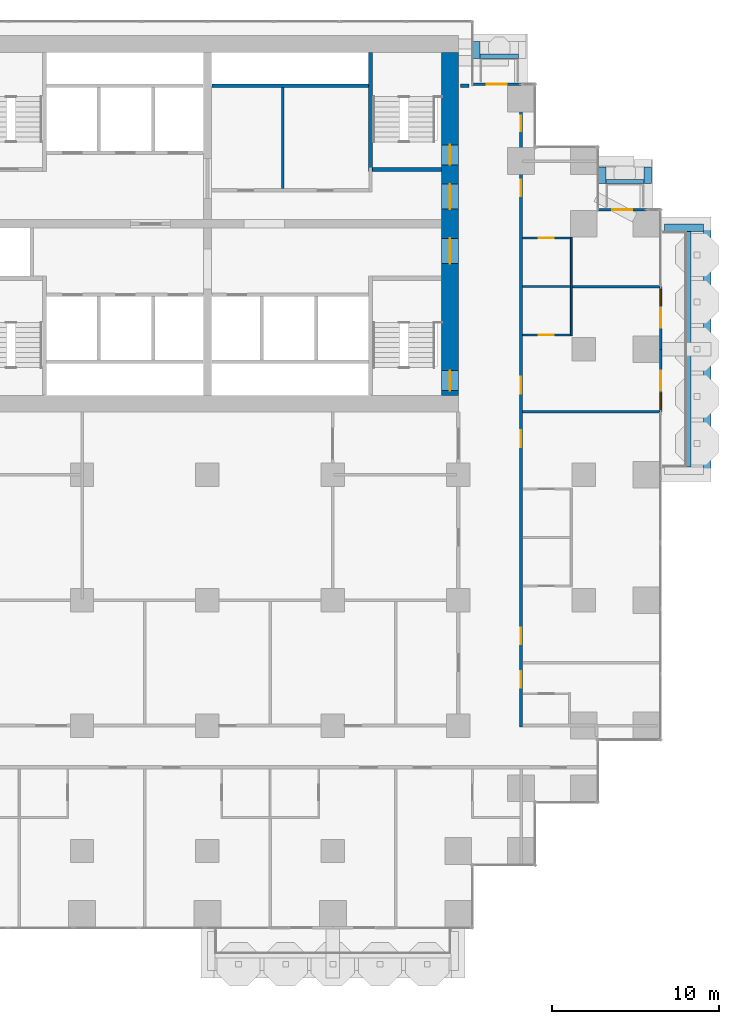
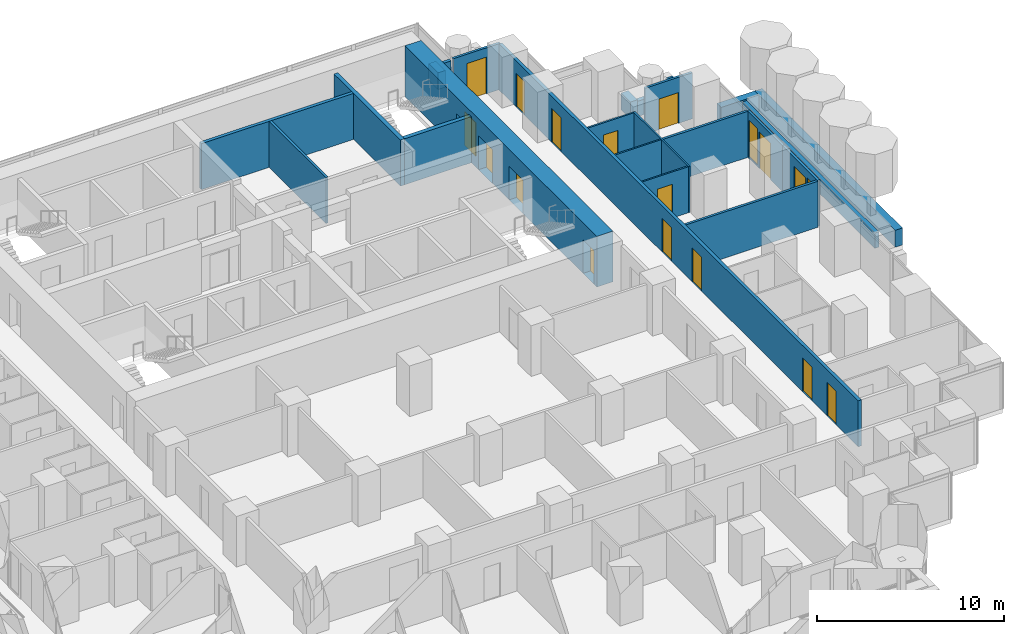
# One storey, part 14 of 18: 25 walls, 16 doors, 2 windows, 18 openings.
"""IFC4 building model written with IfcOpenShell, lengths in metres."""

from ifc_helpers import new_model, si_unit, direction, frame, frame_2d, origin, place, context, subcontext, project, spatial, rectangle, extrude, material, layer, layer_set, type_object, element, fill, save


model = new_model("IFC4")

# Units and contexts
model_context = context("Model", 3, precision=1e-05, world=origin(), true_north=direction((0.0, 1.0)))
body_context = subcontext(model_context, "Body", "Model", "MODEL_VIEW")
ifc_project = project(units=[si_unit("LENGTHUNIT", "METRE"), si_unit("AREAUNIT", "SQUARE_METRE"), si_unit("VOLUMEUNIT", "CUBIC_METRE"), si_unit("PLANEANGLEUNIT", "RADIAN"), si_unit("MASSUNIT", "GRAM", prefix="KILO")], contexts=[model_context])

# Site, building, storey
site_placement = place(None, origin())
site = spatial("IfcSite", under=ifc_project, at=site_placement, CompositionType="ELEMENT")
building_placement = place(site_placement, origin())
building = spatial("IfcBuilding", under=site, at=building_placement, Name="Pilkhan Gate Tower", CompositionType="ELEMENT")
storey_placement = place(building_placement, frame((0.0, 0.0, 52.699951171875)))
storey = spatial("IfcBuildingStorey", under=building, at=storey_placement, Name="L10", CompositionType="ELEMENT", Elevation=52.699951171875)

# Walls
ifc_material_1 = material(Name="Concrete C40/50", Category="concrete")
ifc_layer_1 = layer(ifc_material_1, 0.25)
ifc_layer_set_1 = layer_set([ifc_layer_1], Name="Balcony planter BP250")
wall_type_1 = type_object("IfcWallType", Name="Balcony planter BP250", PredefinedType="USERDEFINED", material=ifc_layer_set_1)
wall_1_placement = place(storey_placement, frame((103.77490234375, 67.949951171875, 0.0), z_axis=(0.0, 0.0, 1.0), x_axis=(0.0, 1.0, 0.0)))
element("IfcWall", 1, at=wall_1_placement, inside=storey, type_object=wall_type_1, Name="Balcony planter L10 E", ObjectType="BALCONY PLANTER", PredefinedType="USERDEFINED", context=body_context, shape_type="SweptSolid", body=[
    extrude(rectangle(XDim=14.10009765625, YDim=0.25, at=frame_2d((7.050048828125, 0.0))), origin(), (0.0, 0.0, 1.0), 1.0),
])
wall_2_placement = place(storey_placement, frame((91.300048828125, 92.52490234375, 0.0), z_axis=(0.0, 0.0, 1.0), x_axis=(1.0, 0.0, 0.0)))
element("IfcWall", 2, at=wall_2_placement, inside=storey, type_object=wall_type_1, Name="Balcony planter L10 N", ObjectType="BALCONY PLANTER", PredefinedType="USERDEFINED", context=body_context, shape_type="SweptSolid", body=[
    extrude(rectangle(XDim=2.300048828125, YDim=0.25, at=frame_2d((1.14990234375, 0.0))), origin(), (0.0, 0.0, 1.0), 1.0),
])
wall_3_placement = place(storey_placement, frame((98.820068359375, 85.02490234375, 0.0), z_axis=(0.0, 0.0, 1.0), x_axis=(1.0, 0.0, 0.0)))
element("IfcWall", 3, at=wall_3_placement, inside=storey, type_object=wall_type_1, Name="Balcony planter L10 N", ObjectType="BALCONY PLANTER", PredefinedType="USERDEFINED", context=body_context, shape_type="SweptSolid", body=[
    extrude(rectangle(XDim=2.280029296875, YDim=0.25, at=frame_2d((1.14013671875, 0.0))), origin(), (0.0, 0.0, 1.0), 1.0),
])
ifc_material_2 = material(Name="Board-marked Concrete C40/50", Category="concrete")
ifc_layer_2 = layer(ifc_material_2, 0.449951171875)
ifc_layer_set_2 = layer_set([ifc_layer_2], Name="Balcony planter lip BL450")
wall_type_2 = type_object("IfcWallType", Name="Balcony planter lip BL450", PredefinedType="USERDEFINED", material=ifc_layer_set_2)
wall_4_placement = place(storey_placement, frame((104.875, 67.5, 0.0), z_axis=(0.0, 0.0, 1.0), x_axis=(0.0, 1.0, 0.0)))
element("IfcWall", 4, at=wall_4_placement, inside=storey, type_object=wall_type_2, Name="Balcony planter L10 E", ObjectType="BALCONY PLANTER", PredefinedType="USERDEFINED", context=body_context, shape_type="SweptSolid", body=[
    extrude(rectangle(XDim=15.0, YDim=0.449951171875, at=frame_2d((7.5, 0.0))), origin(), (0.0, 0.0, 1.0), 1.10009765625),
])
wall_5_placement = place(storey_placement, frame((102.320068359375, 82.27490234375, 0.0), z_axis=(0.0, 0.0, 1.0), x_axis=(1.0, 0.0, 0.0)))
element("IfcWall", 5, at=wall_5_placement, inside=storey, type_object=wall_type_2, Name="Balcony planter L10 E", ObjectType="BALCONY PLANTER", PredefinedType="USERDEFINED", context=body_context, shape_type="SweptSolid", body=[
    extrude(rectangle(XDim=2.329833984375, YDim=0.449951171875, at=frame_2d((1.1650390625, 0.0))), origin(), (0.0, 0.0, 1.0), 1.10009765625),
])
for number, where, z_axis, x_axis, name in (
    (6, (91.074951171875, 92.39990234375, 0.0), (0.0, 0.0, 1.0), (0.0, 1.0, 0.0), "Balcony planter L10 N"),
    (7, (98.594970703125, 84.89990234375, 0.0), (0.0, 0.0, 1.0), (0.0, 1.0, 0.0), "Balcony planter L10 N"),
    (8, (101.324951171875, 84.89990234375, 0.0), (0.0, 0.0, 1.0), (0.0, 1.0, 0.0), "Balcony planter L10 N"),
):
    element("IfcWall", number, at=place(storey_placement, frame(where, z_axis=z_axis, x_axis=x_axis)), inside=storey, type_object=wall_type_2, Name=name, ObjectType="BALCONY PLANTER", PredefinedType="USERDEFINED", context=body_context, shape_type="SweptSolid", body=[
        extrude(rectangle(XDim=1.0, YDim=0.449951171875, at=frame_2d((0.5, 0.0))), origin(), (0.0, 0.0, 1.0), 1.10009765625),
    ])

# Wall, openings, doors
ifc_material_3 = material(Name="Concrete C70/85", Category="concrete")
ifc_layer_3 = layer(ifc_material_3, 1.0)
ifc_layer_set_3 = layer_set([ifc_layer_3], Name="Core wall CW1000 C70/85")
wall_type_3 = type_object("IfcWallType", Name="Core wall CW1000 C70/85", PredefinedType="SHEAR", material=ifc_layer_set_3)
wall_6_placement = place(storey_placement, frame((89.5, 72.25, 0.0), z_axis=(0.0, 0.0, 1.0), x_axis=(0.0, 1.0, 0.0)))
wall_6 = element("IfcWall", 9, at=wall_6_placement, inside=storey, type_object=wall_type_3, Name="Core wall E L10", PredefinedType="SHEAR", context=body_context, shape_type="SweptSolid", body=[
    extrude(rectangle(XDim=20.5, YDim=1.0, at=frame_2d((10.25, 0.0))), origin(), (0.0, 0.0, 1.0), 3.300048828125),
])
opening_1_placement = place(wall_6_placement, frame((0.27490234375, 0.0, 0.0)))
opening_1 = element("IfcOpeningElement", 10, at=opening_1_placement, cuts=wall_6, Name="Opening L10-03", PredefinedType="OPENING", context=body_context, shape_type="SweptSolid", body=[
    extrude(rectangle(XDim=1.199951171875, YDim=2.199951171875, at=frame_2d((0.60009765625, 1.10009765625))), frame((0.0, 0.510009765625, 0.0), z_axis=(0.0, -1.0, 0.0), x_axis=(1.0, 0.0, 0.0)), (0.0, 0.0, 1.0), 1.02001953125),
])
opening_2_placement = place(wall_6_placement, frame((13.77490234375, 0.0, 0.0)))
opening_2 = element("IfcOpeningElement", 11, at=opening_2_placement, cuts=wall_6, Name="Opening L10-05", PredefinedType="OPENING", context=body_context, shape_type="SweptSolid", body=[
    extrude(rectangle(XDim=1.199951171875, YDim=2.199951171875, at=frame_2d((0.60009765625, 1.10009765625))), frame((0.0, 0.510009765625, 0.0), z_axis=(0.0, -1.0, 0.0), x_axis=(1.0, 0.0, 0.0)), (0.0, 0.0, 1.0), 1.02001953125),
])
opening_3_placement = place(wall_6_placement, frame((7.875, 0.0, 0.0)))
opening_3 = element("IfcOpeningElement", 12, at=opening_3_placement, cuts=wall_6, Name="Opening L10-42", PredefinedType="OPENING", context=body_context, shape_type="SweptSolid", body=[
    extrude(rectangle(XDim=1.5, YDim=2.199951171875, at=frame_2d((0.75, 1.10009765625))), frame((0.0, 0.510009765625, 0.0), z_axis=(0.0, -1.0, 0.0), x_axis=(1.0, 0.0, 0.0)), (0.0, 0.0, 1.0), 1.02001953125),
])
opening_4_placement = place(wall_6_placement, frame((11.125, 0.0, 0.0)))
opening_4 = element("IfcOpeningElement", 13, at=opening_4_placement, cuts=wall_6, Name="Opening L10-44", PredefinedType="OPENING", context=body_context, shape_type="SweptSolid", body=[
    extrude(rectangle(XDim=1.5, YDim=2.199951171875, at=frame_2d((0.75, 1.10009765625))), frame((0.0, 0.510009765625, 0.0), z_axis=(0.0, -1.0, 0.0), x_axis=(1.0, 0.0, 0.0)), (0.0, 0.0, 1.0), 1.02001953125),
])
ifc_material_4 = material(Name="Steel framed glazed door, 60 minute fire resisting", Category="steel")
door_type_1 = type_object("IfcDoorType", Name="Lobby door D09 1500x2200", OperationType="DOUBLE_DOOR_SINGLE_SWING", PredefinedType="DOOR", material=ifc_material_4)
door_1_placement = place(opening_3_placement, origin())
door_1 = element("IfcDoor", 14, at=door_1_placement, inside=storey, type_object=door_type_1, Name="Core door", OperationType="DOUBLE_DOOR_SINGLE_SWING", OverallHeight=2.199951171875, OverallWidth=1.5, PredefinedType="DOOR", context=body_context, shape_type="SweptSolid", body=[
    extrude(rectangle(XDim=1.5, YDim=2.199951171875, at=frame_2d((0.75, 1.10009765625))), frame((0.0, 0.02490234375, 0.0), z_axis=(0.0, -1.0, 0.0), x_axis=(1.0, 0.0, 0.0)), (0.0, 0.0, 1.0), 0.050048828125),
])
fill(opening_3, door_1)
door_2_placement = place(opening_4_placement, origin())
door_2 = element("IfcDoor", 15, at=door_2_placement, inside=storey, type_object=door_type_1, Name="Core door", OperationType="DOUBLE_DOOR_SINGLE_SWING", OverallHeight=2.199951171875, OverallWidth=1.5, PredefinedType="DOOR", context=body_context, shape_type="SweptSolid", body=[
    extrude(rectangle(XDim=1.5, YDim=2.199951171875, at=frame_2d((0.75, 1.10009765625))), frame((0.0, 0.02490234375, 0.0), z_axis=(0.0, -1.0, 0.0), x_axis=(1.0, 0.0, 0.0)), (0.0, 0.0, 1.0), 0.050048828125),
])
fill(opening_4, door_2)
ifc_material_5 = material(Name="Steel door, 120 minute fire resisting, panic bar", Category="steel")
door_type_2 = type_object("IfcDoorType", Name="Stair door D11 1200x2200", OperationType="SINGLE_SWING_LEFT", PredefinedType="DOOR", material=ifc_material_5)
door_3_placement = place(opening_1_placement, origin())
door_3 = element("IfcDoor", 16, at=door_3_placement, inside=storey, type_object=door_type_2, Name="Stair ST1 door", OperationType="SINGLE_SWING_LEFT", OverallHeight=2.199951171875, OverallWidth=1.199951171875, PredefinedType="DOOR", context=body_context, shape_type="SweptSolid", body=[
    extrude(rectangle(XDim=1.199951171875, YDim=2.199951171875, at=frame_2d((0.60009765625, 1.10009765625))), frame((0.0, 0.02490234375, 0.0), z_axis=(0.0, -1.0, 0.0), x_axis=(1.0, 0.0, 0.0)), (0.0, 0.0, 1.0), 0.050048828125),
])
fill(opening_1, door_3)
door_4_placement = place(opening_2_placement, origin())
door_4 = element("IfcDoor", 17, at=door_4_placement, inside=storey, type_object=door_type_2, Name="Stair ST4 door", OperationType="SINGLE_SWING_LEFT", OverallHeight=2.199951171875, OverallWidth=1.199951171875, PredefinedType="DOOR", context=body_context, shape_type="SweptSolid", body=[
    extrude(rectangle(XDim=1.199951171875, YDim=2.199951171875, at=frame_2d((0.60009765625, 1.10009765625))), frame((0.0, 0.02490234375, 0.0), z_axis=(0.0, -1.0, 0.0), x_axis=(1.0, 0.0, 0.0)), (0.0, 0.0, 1.0), 0.050048828125),
])
fill(opening_2, door_4)

# Wall
ifc_material_6 = material(Name="Dense blockwork", Category="masonry")
ifc_layer_4 = layer(ifc_material_6, 0.199951171875)
ifc_layer_set_4 = layer_set([ifc_layer_4], Name="Corridor wall FW200")
wall_type_4 = type_object("IfcWallType", Name="Corridor wall FW200", PredefinedType="PARTITIONING", material=ifc_layer_set_4)
wall_7_placement = place(storey_placement, frame((90.1201171875, 90.764892578125, 0.0), z_axis=(0.0, 0.0, 1.0), x_axis=(1.0, 0.0, 0.0)))
element("IfcWall", 18, at=wall_7_placement, inside=storey, type_object=wall_type_4, Name="Partition L10", PredefinedType="PARTITIONING", context=body_context, shape_type="SweptSolid", body=[
    extrude(rectangle(XDim=0.52490234375, YDim=0.199951171875, at=frame_2d((0.262451171875, 0.0))), origin(), (0.0, 0.0, 1.0), 3.0),
])

# Wall, openings, doors
wall_8_placement = place(storey_placement, frame((93.75, 52.39990234375, 0.0), z_axis=(0.0, 0.0, 1.0), x_axis=(0.0, 1.0, 0.0)))
wall_8 = element("IfcWall", 19, at=wall_8_placement, inside=storey, type_object=wall_type_4, Name="Partition L10", PredefinedType="PARTITIONING", context=body_context, shape_type="SweptSolid", body=[
    extrude(rectangle(XDim=38.364990234375, YDim=0.199951171875, at=frame_2d((19.1826171875, 0.0))), origin(), (0.0, 0.0, 1.0), 3.0),
])
opening_5_placement = place(wall_8_placement, frame((2.35009765625, 0.0, 0.0)))
opening_5 = element("IfcOpeningElement", 20, at=opening_5_placement, cuts=wall_8, Name="Opening L10-32", PredefinedType="OPENING", context=body_context, shape_type="SweptSolid", body=[
    extrude(rectangle(XDim=1.0, YDim=2.199951171875, at=frame_2d((0.5, 1.10009765625))), frame((0.0, 0.10986328125, 0.0), z_axis=(0.0, -1.0, 0.0), x_axis=(1.0, 0.0, 0.0)), (0.0, 0.0, 1.0), 0.219970703125),
])
opening_6_placement = place(wall_8_placement, frame((4.949951171875, 0.0, 0.0)))
opening_6 = element("IfcOpeningElement", 21, at=opening_6_placement, cuts=wall_8, Name="Opening L10-34", PredefinedType="OPENING", context=body_context, shape_type="SweptSolid", body=[
    extrude(rectangle(XDim=1.0, YDim=2.199951171875, at=frame_2d((0.5, 1.10009765625))), frame((0.0, 0.10986328125, 0.0), z_axis=(0.0, -1.0, 0.0), x_axis=(1.0, 0.0, 0.0)), (0.0, 0.0, 1.0), 0.219970703125),
])
opening_7_placement = place(wall_8_placement, frame((16.75, 0.0, 0.0)))
opening_7 = element("IfcOpeningElement", 22, at=opening_7_placement, cuts=wall_8, Name="Opening L10-36", PredefinedType="OPENING", context=body_context, shape_type="SweptSolid", body=[
    extrude(rectangle(XDim=1.0, YDim=2.199951171875, at=frame_2d((0.5, 1.10009765625))), frame((0.0, 0.10986328125, 0.0), z_axis=(0.0, -1.0, 0.0), x_axis=(1.0, 0.0, 0.0)), (0.0, 0.0, 1.0), 0.219970703125),
])
opening_8_placement = place(wall_8_placement, frame((19.949951171875, 0.0, 0.0)))
opening_8 = element("IfcOpeningElement", 23, at=opening_8_placement, cuts=wall_8, Name="Opening L10-38", PredefinedType="OPENING", context=body_context, shape_type="SweptSolid", body=[
    extrude(rectangle(XDim=1.0, YDim=2.199951171875, at=frame_2d((0.5, 1.10009765625))), frame((0.0, 0.10986328125, 0.0), z_axis=(0.0, -1.0, 0.0), x_axis=(1.0, 0.0, 0.0)), (0.0, 0.0, 1.0), 0.219970703125),
])
opening_9_placement = place(wall_8_placement, frame((31.75, 0.0, 0.0)))
opening_9 = element("IfcOpeningElement", 24, at=opening_9_placement, cuts=wall_8, Name="Opening L10-40", PredefinedType="OPENING", context=body_context, shape_type="SweptSolid", body=[
    extrude(rectangle(XDim=1.0, YDim=2.199951171875, at=frame_2d((0.5, 1.10009765625))), frame((0.0, 0.10986328125, 0.0), z_axis=(0.0, -1.0, 0.0), x_axis=(1.0, 0.0, 0.0)), (0.0, 0.0, 1.0), 0.219970703125),
])
opening_10_placement = place(wall_8_placement, frame((35.64990234375, 0.0, 0.0)))
opening_10 = element("IfcOpeningElement", 25, at=opening_10_placement, cuts=wall_8, Name="Opening L10-50", PredefinedType="OPENING", context=body_context, shape_type="SweptSolid", body=[
    extrude(rectangle(XDim=0.89990234375, YDim=2.199951171875, at=frame_2d((0.449951171875, 1.10009765625))), frame((0.0, 0.10986328125, 0.0), z_axis=(0.0, -1.0, 0.0), x_axis=(1.0, 0.0, 0.0)), (0.0, 0.0, 1.0), 0.219970703125),
])
ifc_material_7 = material(Name="Timber flush door, 30 minute fire resisting", Category="wood")
door_type_3 = type_object("IfcDoorType", Name="Guest room door D01 1000x2200", OperationType="SINGLE_SWING_LEFT", PredefinedType="DOOR", material=ifc_material_7)
door_5_placement = place(opening_5_placement, origin())
door_5 = element("IfcDoor", 26, at=door_5_placement, inside=storey, type_object=door_type_3, Name="Guest room door", OperationType="SINGLE_SWING_RIGHT", OverallHeight=2.199951171875, OverallWidth=1.0, PredefinedType="DOOR", context=body_context, shape_type="SweptSolid", body=[
    extrude(rectangle(XDim=1.0, YDim=2.199951171875, at=frame_2d((0.5, 1.10009765625))), frame((0.0, 0.02490234375, 0.0), z_axis=(0.0, -1.0, 0.0), x_axis=(1.0, 0.0, 0.0)), (0.0, 0.0, 1.0), 0.050048828125),
])
fill(opening_5, door_5)
door_6_placement = place(opening_6_placement, origin())
door_6 = element("IfcDoor", 27, at=door_6_placement, inside=storey, type_object=door_type_3, Name="Guest room door", OperationType="SINGLE_SWING_LEFT", OverallHeight=2.199951171875, OverallWidth=1.0, PredefinedType="DOOR", context=body_context, shape_type="SweptSolid", body=[
    extrude(rectangle(XDim=1.0, YDim=2.199951171875, at=frame_2d((0.5, 1.10009765625))), frame((0.0, 0.02490234375, 0.0), z_axis=(0.0, -1.0, 0.0), x_axis=(1.0, 0.0, 0.0)), (0.0, 0.0, 1.0), 0.050048828125),
])
fill(opening_6, door_6)
door_7_placement = place(opening_7_placement, origin())
door_7 = element("IfcDoor", 28, at=door_7_placement, inside=storey, type_object=door_type_3, Name="Guest room door", OperationType="SINGLE_SWING_LEFT", OverallHeight=2.199951171875, OverallWidth=1.0, PredefinedType="DOOR", context=body_context, shape_type="SweptSolid", body=[
    extrude(rectangle(XDim=1.0, YDim=2.199951171875, at=frame_2d((0.5, 1.10009765625))), frame((0.0, 0.02490234375, 0.0), z_axis=(0.0, -1.0, 0.0), x_axis=(1.0, 0.0, 0.0)), (0.0, 0.0, 1.0), 0.050048828125),
])
fill(opening_7, door_7)
door_8_placement = place(opening_8_placement, origin())
door_8 = element("IfcDoor", 29, at=door_8_placement, inside=storey, type_object=door_type_3, Name="Guest room door", OperationType="SINGLE_SWING_LEFT", OverallHeight=2.199951171875, OverallWidth=1.0, PredefinedType="DOOR", context=body_context, shape_type="SweptSolid", body=[
    extrude(rectangle(XDim=1.0, YDim=2.199951171875, at=frame_2d((0.5, 1.10009765625))), frame((0.0, 0.02490234375, 0.0), z_axis=(0.0, -1.0, 0.0), x_axis=(1.0, 0.0, 0.0)), (0.0, 0.0, 1.0), 0.050048828125),
])
fill(opening_8, door_8)
door_9_placement = place(opening_9_placement, origin())
door_9 = element("IfcDoor", 30, at=door_9_placement, inside=storey, type_object=door_type_3, Name="Guest room door", OperationType="SINGLE_SWING_LEFT", OverallHeight=2.199951171875, OverallWidth=1.0, PredefinedType="DOOR", context=body_context, shape_type="SweptSolid", body=[
    extrude(rectangle(XDim=1.0, YDim=2.199951171875, at=frame_2d((0.5, 1.10009765625))), frame((0.0, 0.02490234375, 0.0), z_axis=(0.0, -1.0, 0.0), x_axis=(1.0, 0.0, 0.0)), (0.0, 0.0, 1.0), 0.050048828125),
])
fill(opening_9, door_9)
ifc_material_8 = material(Name="Timber flush door, 60 minute fire resisting, self-closing", Category="wood")
door_type_4 = type_object("IfcDoorType", Name="Store door D05 900x2200", OperationType="SINGLE_SWING_LEFT", PredefinedType="DOOR", material=ifc_material_8)
door_10_placement = place(opening_10_placement, origin())
door_10 = element("IfcDoor", 31, at=door_10_placement, inside=storey, type_object=door_type_4, Name="Store door", OperationType="SINGLE_SWING_LEFT", OverallHeight=2.199951171875, OverallWidth=0.89990234375, PredefinedType="DOOR", context=body_context, shape_type="SweptSolid", body=[
    extrude(rectangle(XDim=0.89990234375, YDim=2.199951171875, at=frame_2d((0.449951171875, 1.10009765625))), frame((0.0, 0.02490234375, 0.0), z_axis=(0.0, -1.0, 0.0), x_axis=(1.0, 0.0, 0.0)), (0.0, 0.0, 1.0), 0.050048828125),
])
fill(opening_10, door_10)

# Wall, openings, door, window
ifc_material_9 = material(Name="Pale anodised aluminium, clear laminated glazing", Category="aluminium")
ifc_layer_5 = layer(ifc_material_9, 0.14990234375)
ifc_layer_set_5 = layer_set([ifc_layer_5], Name="Facade infill wall IW150")
wall_type_5 = type_object("IfcWallType", Name="Facade infill wall IW150", PredefinedType="SOLIDWALL", material=ifc_layer_set_5)
wall_9_placement = place(storey_placement, frame((102.094970703125, 71.25, 0.0), z_axis=(0.0, 0.0, 1.0), x_axis=(0.0, 1.0, 0.0)))
wall_9 = element("IfcWall", 32, at=wall_9_placement, inside=storey, type_object=wall_type_5, Name="Infill wall L10 E", PredefinedType="SOLIDWALL", context=body_context, shape_type="SweptSolid", body=[
    extrude(rectangle(XDim=3.75, YDim=0.14990234375, at=frame_2d((1.875, 0.0))), origin(), (0.0, 0.0, 1.0), 3.0),
])
opening_11_placement = place(wall_9_placement, frame((0.1875, 0.0, 0.10009765625)))
opening_11 = element("IfcOpeningElement", 33, at=opening_11_placement, cuts=wall_9, Name="Opening W1", PredefinedType="OPENING", context=body_context, shape_type="SweptSolid", body=[
    extrude(rectangle(XDim=0.89990234375, YDim=2.39990234375, at=frame_2d((0.449951171875, 1.199951171875))), frame((0.0, 0.0849609375, 0.0), z_axis=(0.0, -1.0, 0.0), x_axis=(1.0, 0.0, 0.0)), (0.0, 0.0, 1.0), 0.169921875),
])
opening_12_placement = place(wall_9_placement, frame((1.27490234375, 0.0, 0.0)))
opening_12 = element("IfcOpeningElement", 34, at=opening_12_placement, cuts=wall_9, Name="Opening D1", PredefinedType="OPENING", context=body_context, shape_type="SweptSolid", body=[
    extrude(rectangle(XDim=1.199951171875, YDim=2.39990234375, at=frame_2d((0.60009765625, 1.199951171875))), frame((0.0, 0.0849609375, 0.0), z_axis=(0.0, -1.0, 0.0), x_axis=(1.0, 0.0, 0.0)), (0.0, 0.0, 1.0), 0.169921875),
])
ifc_material_10 = material(Name="Pale anodised aluminium, clear glazing", Category="aluminium")
door_type_5 = type_object("IfcDoorType", Name="Balcony door D1 1200x2400", OperationType="SINGLE_SWING_LEFT", PredefinedType="DOOR", material=ifc_material_10)
door_11_placement = place(opening_12_placement, origin())
door_11 = element("IfcDoor", 35, at=door_11_placement, inside=storey, type_object=door_type_5, Name="Balcony door L10", OperationType="SINGLE_SWING_LEFT", OverallHeight=2.39990234375, OverallWidth=1.199951171875, PredefinedType="DOOR", context=body_context, shape_type="SweptSolid", body=[
    extrude(rectangle(XDim=1.199951171875, YDim=2.39990234375, at=frame_2d((0.60009765625, 1.199951171875))), frame((0.0, 0.02490234375, 0.0), z_axis=(0.0, -1.0, 0.0), x_axis=(1.0, 0.0, 0.0)), (0.0, 0.0, 1.0), 0.050048828125),
])
fill(opening_12, door_11)
ifc_material_11 = material(Name="Pale anodised aluminium, clear double glazing", Category="aluminium")
window_type = type_object("IfcWindowType", Name="Window W1 900x2400", PartitioningType="SINGLE_PANEL", PredefinedType="WINDOW", material=ifc_material_11)
window_1_placement = place(opening_11_placement, origin())
window_1 = element("IfcWindow", 36, at=window_1_placement, inside=storey, type_object=window_type, Name="Window L10", OverallHeight=2.39990234375, OverallWidth=0.89990234375, PartitioningType="SINGLE_PANEL", PredefinedType="WINDOW", context=body_context, shape_type="SweptSolid", body=[
    extrude(rectangle(XDim=0.89990234375, YDim=2.39990234375, at=frame_2d((0.449951171875, 1.199951171875))), frame((0.0, 0.030029296875, 0.0), z_axis=(0.0, -1.0, 0.0), x_axis=(1.0, 0.0, 0.0)), (0.0, 0.0, 1.0), 0.06005859375),
])
fill(opening_11, window_1)

wall_10_placement = place(storey_placement, frame((102.094970703125, 75.0, 0.0), z_axis=(0.0, 0.0, 1.0), x_axis=(0.0, 1.0, 0.0)))
wall_10 = element("IfcWall", 37, at=wall_10_placement, inside=storey, type_object=wall_type_5, Name="Infill wall L10 E", PredefinedType="SOLIDWALL", context=body_context, shape_type="SweptSolid", body=[
    extrude(rectangle(XDim=3.75, YDim=0.14990234375, at=frame_2d((1.875, 0.0))), origin(), (0.0, 0.0, 1.0), 3.0),
])
opening_13_placement = place(wall_10_placement, frame((1.27490234375, 0.0, 0.0)))
opening_13 = element("IfcOpeningElement", 38, at=opening_13_placement, cuts=wall_10, Name="Opening D1", PredefinedType="OPENING", context=body_context, shape_type="SweptSolid", body=[
    extrude(rectangle(XDim=1.199951171875, YDim=2.39990234375, at=frame_2d((0.60009765625, 1.199951171875))), frame((0.0, 0.0849609375, 0.0), z_axis=(0.0, -1.0, 0.0), x_axis=(1.0, 0.0, 0.0)), (0.0, 0.0, 1.0), 0.169921875),
])
opening_14_placement = place(wall_10_placement, frame((2.66259765625, 0.0, 0.10009765625)))
opening_14 = element("IfcOpeningElement", 39, at=opening_14_placement, cuts=wall_10, Name="Opening W1", PredefinedType="OPENING", context=body_context, shape_type="SweptSolid", body=[
    extrude(rectangle(XDim=0.89990234375, YDim=2.39990234375, at=frame_2d((0.449951171875, 1.199951171875))), frame((0.0, 0.0849609375, 0.0), z_axis=(0.0, -1.0, 0.0), x_axis=(1.0, 0.0, 0.0)), (0.0, 0.0, 1.0), 0.169921875),
])
door_12_placement = place(opening_13_placement, origin())
door_12 = element("IfcDoor", 40, at=door_12_placement, inside=storey, type_object=door_type_5, Name="Balcony door L10", OperationType="SINGLE_SWING_LEFT", OverallHeight=2.39990234375, OverallWidth=1.199951171875, PredefinedType="DOOR", context=body_context, shape_type="SweptSolid", body=[
    extrude(rectangle(XDim=1.199951171875, YDim=2.39990234375, at=frame_2d((0.60009765625, 1.199951171875))), frame((0.0, 0.02490234375, 0.0), z_axis=(0.0, -1.0, 0.0), x_axis=(1.0, 0.0, 0.0)), (0.0, 0.0, 1.0), 0.050048828125),
])
fill(opening_13, door_12)
window_2_placement = place(opening_14_placement, origin())
window_2 = element("IfcWindow", 41, at=window_2_placement, inside=storey, type_object=window_type, Name="Window L10", OverallHeight=2.39990234375, OverallWidth=0.89990234375, PartitioningType="SINGLE_PANEL", PredefinedType="WINDOW", context=body_context, shape_type="SweptSolid", body=[
    extrude(rectangle(XDim=0.89990234375, YDim=2.39990234375, at=frame_2d((0.449951171875, 1.199951171875))), frame((0.0, 0.030029296875, 0.0), z_axis=(0.0, -1.0, 0.0), x_axis=(1.0, 0.0, 0.0)), (0.0, 0.0, 1.0), 0.06005859375),
])
fill(opening_14, window_2)

# Wall, opening, door
wall_11_placement = place(storey_placement, frame((98.344970703125, 83.344970703125, 0.0), z_axis=(0.0, 0.0, 1.0), x_axis=(1.0, 0.0, 0.0)))
wall_11 = element("IfcWall", 42, at=wall_11_placement, inside=storey, type_object=wall_type_5, Name="Infill wall L10 N", PredefinedType="SOLIDWALL", context=body_context, shape_type="SweptSolid", body=[
    extrude(rectangle(XDim=2.905029296875, YDim=0.14990234375, at=frame_2d((1.45263671875, 0.0))), origin(), (0.0, 0.0, 1.0), 3.0),
])
opening_15_placement = place(wall_11_placement, frame((0.8525390625, 0.0, 0.0)))
opening_15 = element("IfcOpeningElement", 43, at=opening_15_placement, cuts=wall_11, Name="Opening D1L", PredefinedType="OPENING", context=body_context, shape_type="SweptSolid", body=[
    extrude(rectangle(XDim=1.199951171875, YDim=2.0, at=frame_2d((0.60009765625, 1.0))), frame((0.0, 0.0849609375, 0.0), z_axis=(0.0, -1.0, 0.0), x_axis=(1.0, 0.0, 0.0)), (0.0, 0.0, 1.0), 0.169921875),
])
door_type_6 = type_object("IfcDoorType", Name="Balcony door D1L 1200x2000", OperationType="SINGLE_SWING_LEFT", PredefinedType="DOOR", material=ifc_material_10)
door_13_placement = place(opening_15_placement, origin())
door_13 = element("IfcDoor", 44, at=door_13_placement, inside=storey, type_object=door_type_6, Name="Balcony door L10", OperationType="SINGLE_SWING_LEFT", OverallHeight=2.0, OverallWidth=1.199951171875, PredefinedType="DOOR", context=body_context, shape_type="SweptSolid", body=[
    extrude(rectangle(XDim=1.199951171875, YDim=2.0, at=frame_2d((0.60009765625, 1.0))), frame((0.0, 0.02490234375, 0.0), z_axis=(0.0, -1.0, 0.0), x_axis=(1.0, 0.0, 0.0)), (0.0, 0.0, 1.0), 0.050048828125),
])
fill(opening_15, door_13)

wall_12_placement = place(storey_placement, frame((90.844970703125, 90.844970703125, 0.0), z_axis=(0.0, 0.0, 1.0), x_axis=(1.0, 0.0, 0.0)))
wall_12 = element("IfcWall", 45, at=wall_12_placement, inside=storey, type_object=wall_type_5, Name="Infill wall L10 N", PredefinedType="SOLIDWALL", context=body_context, shape_type="SweptSolid", body=[
    extrude(rectangle(XDim=2.905029296875, YDim=0.14990234375, at=frame_2d((1.45263671875, 0.0))), origin(), (0.0, 0.0, 1.0), 3.0),
])
opening_16_placement = place(wall_12_placement, frame((0.8525390625, 0.0, 0.0)))
opening_16 = element("IfcOpeningElement", 46, at=opening_16_placement, cuts=wall_12, Name="Opening D1", PredefinedType="OPENING", context=body_context, shape_type="SweptSolid", body=[
    extrude(rectangle(XDim=1.199951171875, YDim=2.39990234375, at=frame_2d((0.60009765625, 1.199951171875))), frame((0.0, 0.0849609375, 0.0), z_axis=(0.0, -1.0, 0.0), x_axis=(1.0, 0.0, 0.0)), (0.0, 0.0, 1.0), 0.169921875),
])
door_14_placement = place(opening_16_placement, origin())
door_14 = element("IfcDoor", 47, at=door_14_placement, inside=storey, type_object=door_type_5, Name="Balcony door L10", OperationType="SINGLE_SWING_LEFT", OverallHeight=2.39990234375, OverallWidth=1.199951171875, PredefinedType="DOOR", context=body_context, shape_type="SweptSolid", body=[
    extrude(rectangle(XDim=1.199951171875, YDim=2.39990234375, at=frame_2d((0.60009765625, 1.199951171875))), frame((0.0, 0.02490234375, 0.0), z_axis=(0.0, -1.0, 0.0), x_axis=(1.0, 0.0, 0.0)), (0.0, 0.0, 1.0), 0.050048828125),
])
fill(opening_16, door_14)

# Walls
ifc_layer_6 = layer(ifc_material_6, 0.199951171875)
ifc_layer_set_6 = layer_set([ifc_layer_6], Name="Lobby wall LW200")
wall_type_6 = type_object("IfcWallType", Name="Lobby wall LW200", PredefinedType="PARTITIONING", material=ifc_layer_set_6)
wall_13_placement = place(storey_placement, frame((75.260009765625, 90.75, 0.0), z_axis=(0.0, 0.0, 1.0), x_axis=(1.0, 0.0, 0.0)))
element("IfcWall", 48, at=wall_13_placement, inside=storey, type_object=wall_type_6, Name="Partition L10", PredefinedType="PARTITIONING", context=body_context, shape_type="SweptSolid", body=[
    extrude(rectangle(XDim=9.364990234375, YDim=0.199951171875, at=frame_2d((4.6826171875, 0.0))), origin(), (0.0, 0.0, 1.0), 3.0),
])
ifc_material_12 = material(Name="Blockwork partition, plastered both sides", Category="masonry")
ifc_layer_7 = layer(ifc_material_12, 0.14990234375)
ifc_layer_set_7 = layer_set([ifc_layer_7], Name="Partition PW150")
wall_type_7 = type_object("IfcWallType", Name="Partition PW150", PredefinedType="PARTITIONING", material=ifc_layer_set_7)
wall_14_placement = place(storey_placement, frame((93.85009765625, 71.25, 0.0), z_axis=(0.0, 0.0, 1.0), x_axis=(1.0, 0.0, 0.0)))
element("IfcWall", 49, at=wall_14_placement, inside=storey, type_object=wall_type_7, Name="Partition L10", PredefinedType="PARTITIONING", context=body_context, shape_type="SweptSolid", body=[
    extrude(rectangle(XDim=8.164794921875, YDim=0.14990234375, at=frame_2d((4.08251953125, 0.0))), origin(), (0.0, 0.0, 1.0), 3.0),
])
wall_15_placement = place(storey_placement, frame((96.800048828125, 78.75, 0.0), z_axis=(0.0, 0.0, 1.0), x_axis=(1.0, 0.0, 0.0)))
element("IfcWall", 50, at=wall_15_placement, inside=storey, type_object=wall_type_7, Name="Partition L10", PredefinedType="PARTITIONING", context=body_context, shape_type="SweptSolid", body=[
    extrude(rectangle(XDim=5.21484375, YDim=0.14990234375, at=frame_2d((2.607421875, 0.0))), origin(), (0.0, 0.0, 1.0), 3.0),
])
wall_16_placement = place(storey_placement, frame((79.5, 84.60009765625, 0.0), z_axis=(0.0, 0.0, 1.0), x_axis=(0.0, 1.0, 0.0)))
element("IfcWall", 51, at=wall_16_placement, inside=storey, type_object=wall_type_7, Name="Partition L10", PredefinedType="PARTITIONING", context=body_context, shape_type="SweptSolid", body=[
    extrude(rectangle(XDim=6.0498046875, YDim=0.14990234375, at=frame_2d((3.02490234375, 0.0))), origin(), (0.0, 0.0, 1.0), 3.0),
])
ifc_material_13 = material(Name="Reinforced blockwork, 120 minute fire resisting", Category="masonry")
ifc_layer_8 = layer(ifc_material_13, 0.25)
ifc_layer_set_8 = layer_set([ifc_layer_8], Name="Stair enclosure wall SE250")
wall_type_8 = type_object("IfcWallType", Name="Stair enclosure wall SE250", PredefinedType="PARTITIONING", material=ifc_layer_set_8)
wall_17_placement = place(storey_placement, frame((84.875, 85.75, 0.0), z_axis=(0.0, 0.0, 1.0), x_axis=(1.0, 0.0, 0.0)))
element("IfcWall", 52, at=wall_17_placement, inside=storey, type_object=wall_type_8, Name="Partition L10", PredefinedType="PARTITIONING", context=body_context, shape_type="SweptSolid", body=[
    extrude(rectangle(XDim=4.114990234375, YDim=0.25, at=frame_2d((2.0576171875, 0.0))), origin(), (0.0, 0.0, 1.0), 3.0),
])
wall_18_placement = place(storey_placement, frame((84.75, 85.625, 0.0), z_axis=(0.0, 0.0, 1.0), x_axis=(0.0, 1.0, 0.0)))
element("IfcWall", 53, at=wall_18_placement, inside=storey, type_object=wall_type_8, Name="Partition L10", PredefinedType="PARTITIONING", context=body_context, shape_type="SweptSolid", body=[
    extrude(rectangle(XDim=7.114990234375, YDim=0.25, at=frame_2d((3.5576171875, 0.0))), origin(), (0.0, 0.0, 1.0), 3.0),
])

# Wall, opening, door
ifc_material_14 = material(Name="Moisture resistant board, tiled")
ifc_layer_9 = layer(ifc_material_14, 0.10009765625)
ifc_layer_set_9 = layer_set([ifc_layer_9], Name="Wet wall PW100")
wall_type_9 = type_object("IfcWallType", Name="Wet wall PW100", PredefinedType="PARTITIONING", material=ifc_layer_set_9)
wall_19_placement = place(storey_placement, frame((93.85009765625, 75.85009765625, 0.0), z_axis=(0.0, 0.0, 1.0), x_axis=(1.0, 0.0, 0.0)))
wall_19 = element("IfcWall", 54, at=wall_19_placement, inside=storey, type_object=wall_type_9, Name="Partition L10", PredefinedType="PARTITIONING", context=body_context, shape_type="SweptSolid", body=[
    extrude(rectangle(XDim=2.849853515625, YDim=0.10009765625, at=frame_2d((1.4248046875, 0.0))), origin(), (0.0, 0.0, 1.0), 3.0),
])
opening_17_placement = place(wall_19_placement, frame((0.949951171875, 0.0, 0.0)))
opening_17 = element("IfcOpeningElement", 55, at=opening_17_placement, cuts=wall_19, Name="Opening L10-39", PredefinedType="OPENING", context=body_context, shape_type="SweptSolid", body=[
    extrude(rectangle(XDim=0.89990234375, YDim=2.199951171875, at=frame_2d((0.449951171875, 1.10009765625))), frame((0.0, 0.06005859375, 0.0), z_axis=(0.0, -1.0, 0.0), x_axis=(1.0, 0.0, 0.0)), (0.0, 0.0, 1.0), 0.1201171875),
])
ifc_material_15 = material(Name="Timber flush door", Category="wood")
door_type_7 = type_object("IfcDoorType", Name="Bathroom door D02 900x2200", OperationType="SINGLE_SWING_RIGHT", PredefinedType="DOOR", material=ifc_material_15)
door_15_placement = place(opening_17_placement, origin())
door_15 = element("IfcDoor", 56, at=door_15_placement, inside=storey, type_object=door_type_7, Name="Bathroom door", OperationType="SINGLE_SWING_RIGHT", OverallHeight=2.199951171875, OverallWidth=0.89990234375, PredefinedType="DOOR", context=body_context, shape_type="SweptSolid", body=[
    extrude(rectangle(XDim=0.89990234375, YDim=2.199951171875, at=frame_2d((0.449951171875, 1.10009765625))), frame((0.0, 0.02490234375, 0.0), z_axis=(0.0, -1.0, 0.0), x_axis=(1.0, 0.0, 0.0)), (0.0, 0.0, 1.0), 0.050048828125),
])
fill(opening_17, door_15)

# Wall
wall_20_placement = place(storey_placement, frame((93.85009765625, 78.75, 0.0), z_axis=(0.0, 0.0, 1.0), x_axis=(1.0, 0.0, 0.0)))
element("IfcWall", 57, at=wall_20_placement, inside=storey, type_object=wall_type_9, Name="Partition L10", PredefinedType="PARTITIONING", context=body_context, shape_type="SweptSolid", body=[
    extrude(rectangle(XDim=2.849853515625, YDim=0.10009765625, at=frame_2d((1.4248046875, 0.0))), origin(), (0.0, 0.0, 1.0), 3.0),
])

# Wall, opening, door
wall_21_placement = place(storey_placement, frame((93.85009765625, 81.64990234375, 0.0), z_axis=(0.0, 0.0, 1.0), x_axis=(1.0, 0.0, 0.0)))
wall_21 = element("IfcWall", 58, at=wall_21_placement, inside=storey, type_object=wall_type_9, Name="Partition L10", PredefinedType="PARTITIONING", context=body_context, shape_type="SweptSolid", body=[
    extrude(rectangle(XDim=2.849853515625, YDim=0.10009765625, at=frame_2d((1.4248046875, 0.0))), origin(), (0.0, 0.0, 1.0), 3.0),
])
opening_18_placement = place(wall_21_placement, frame((0.949951171875, 0.0, 0.0)))
opening_18 = element("IfcOpeningElement", 59, at=opening_18_placement, cuts=wall_21, Name="Opening L10-41", PredefinedType="OPENING", context=body_context, shape_type="SweptSolid", body=[
    extrude(rectangle(XDim=0.89990234375, YDim=2.199951171875, at=frame_2d((0.449951171875, 1.10009765625))), frame((0.0, 0.06005859375, 0.0), z_axis=(0.0, -1.0, 0.0), x_axis=(1.0, 0.0, 0.0)), (0.0, 0.0, 1.0), 0.1201171875),
])
door_16_placement = place(opening_18_placement, origin())
door_16 = element("IfcDoor", 60, at=door_16_placement, inside=storey, type_object=door_type_7, Name="Bathroom door", OperationType="SINGLE_SWING_RIGHT", OverallHeight=2.199951171875, OverallWidth=0.89990234375, PredefinedType="DOOR", context=body_context, shape_type="SweptSolid", body=[
    extrude(rectangle(XDim=0.89990234375, YDim=2.199951171875, at=frame_2d((0.449951171875, 1.10009765625))), frame((0.0, 0.02490234375, 0.0), z_axis=(0.0, -1.0, 0.0), x_axis=(1.0, 0.0, 0.0)), (0.0, 0.0, 1.0), 0.050048828125),
])
fill(opening_18, door_16)

# Wall
wall_22_placement = place(storey_placement, frame((96.75, 75.800048828125, 0.0), z_axis=(0.0, 0.0, 1.0), x_axis=(0.0, 1.0, 0.0)))
element("IfcWall", 61, at=wall_22_placement, inside=storey, type_object=wall_type_9, Name="Partition L10", PredefinedType="PARTITIONING", context=body_context, shape_type="SweptSolid", body=[
    extrude(rectangle(XDim=5.89990234375, YDim=0.10009765625, at=frame_2d((2.949951171875, 0.0))), origin(), (0.0, 0.0, 1.0), 3.0),
])

save(model, "model.ifc")
